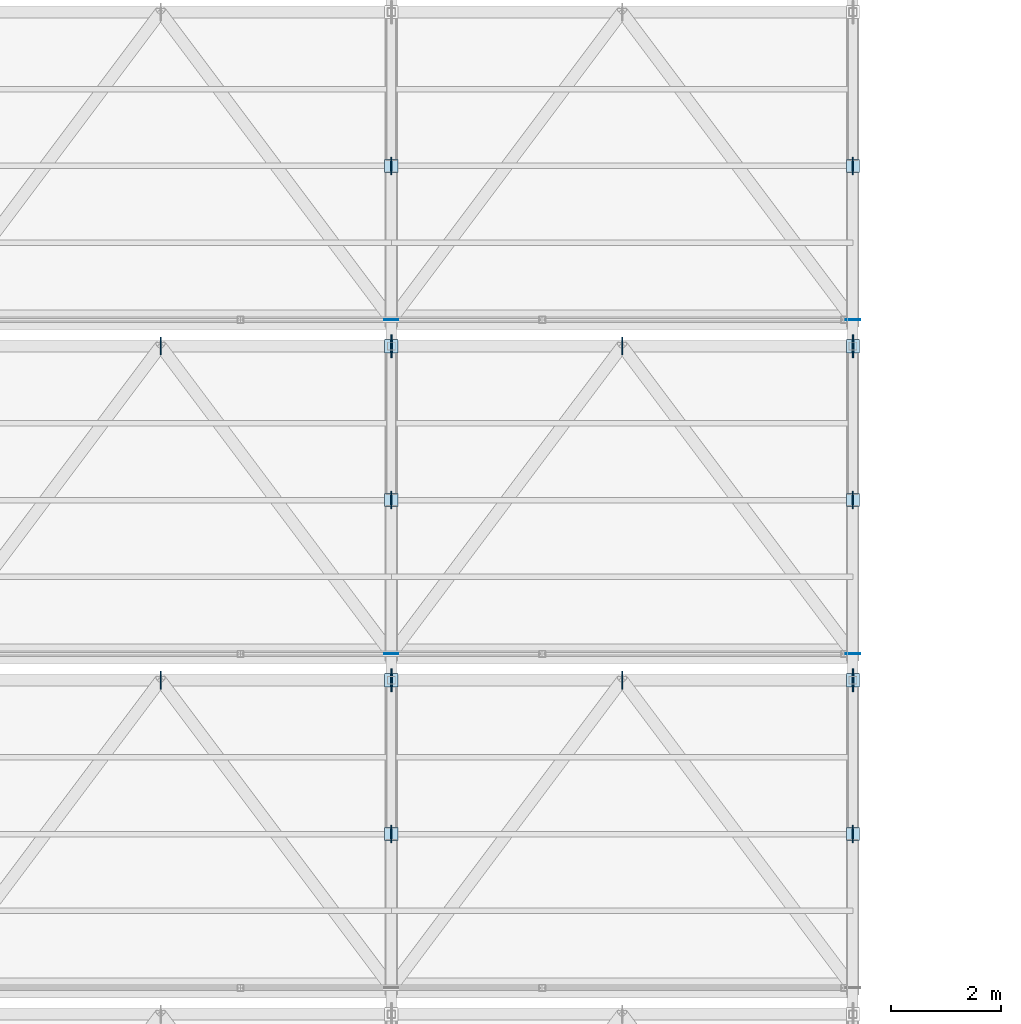
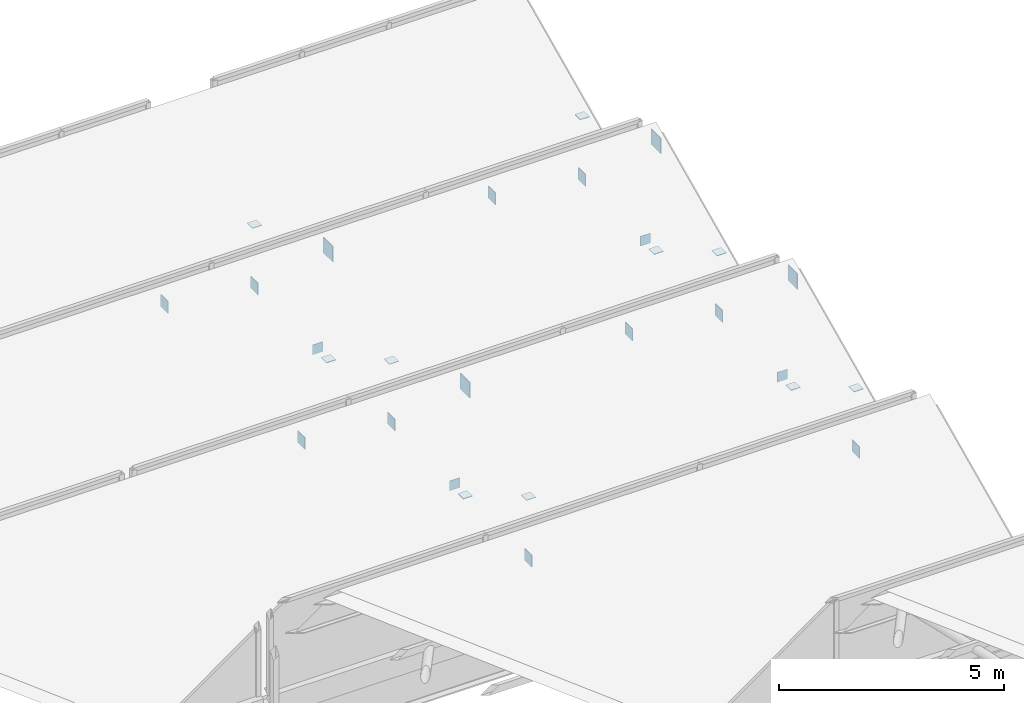
# One storey, part 188 of 217: 28 plates.
"""IFC4 building model written with IfcOpenShell, lengths in metres."""

from ifc_helpers import new_model, si_unit, direction, frame, origin, origin_2d, place, context, subcontext, project, spatial, rectangle, extrude, material, layer, layer_set, type_object, element, save


model = new_model("IFC4")

# Units and contexts
model_context = context("Model", 3, precision=1e-05, world=origin(), true_north=direction((0.0, 1.0)))
body_context = subcontext(model_context, "Body", "Model", "MODEL_VIEW")
ifc_project = project(units=[si_unit("LENGTHUNIT", "METRE"), si_unit("AREAUNIT", "SQUARE_METRE"), si_unit("VOLUMEUNIT", "CUBIC_METRE"), si_unit("PLANEANGLEUNIT", "RADIAN"), si_unit("MASSUNIT", "GRAM", prefix="KILO")], contexts=[model_context])

# Site, building, storey
site_placement = place(None, origin())
site = spatial("IfcSite", under=ifc_project, at=site_placement, CompositionType="ELEMENT")
building_placement = place(site_placement, origin())
building = spatial("IfcBuilding", under=site, at=building_placement, Name="Zuvorla Pavilion Media Centre", CompositionType="ELEMENT")
storey_placement = place(building_placement, frame((0.0, 0.0, 9.60009765625)))
storey = spatial("IfcBuildingStorey", under=building, at=storey_placement, Name="L02", CompositionType="ELEMENT", Elevation=9.60009765625)

# Plates
ifc_material = material(Name="Steel S355", Category="steel")
ifc_layer_1 = layer(ifc_material, 0.01611328125)
ifc_layer_set_1 = layer_set([ifc_layer_1], Name="Steel S355")
plate_type_1 = type_object("IfcPlateType", Name="PLT-CAP-16", PredefinedType="USERDEFINED", material=ifc_layer_set_1)
for number, where, z_axis, x_axis, name in (
    (1, (125.60009765625, 107.840087890625, -1.01025390625), (0.0, 0.0, 1.0), (1.0, 0.0, 0.0), "L02 cap plate CP16 70"),
    (2, (134.0, 107.840087890625, -1.01025390625), (0.0, 0.0, 1.0), (1.0, 0.0, 0.0), "L02 cap plate CP16 72"),
    (3, (125.60009765625, 113.919921875, -1.01025390625), (0.0, 0.0, 1.0), (1.0, 0.0, 0.0), "L02 cap plate CP16 88"),
    (4, (134.0, 113.919921875, -1.01025390625), (0.0, 0.0, 1.0), (1.0, 0.0, 0.0), "L02 cap plate CP16 90"),
):
    element("IfcPlate", number, at=place(storey_placement, frame(where, z_axis=z_axis, x_axis=x_axis)), inside=storey, type_object=plate_type_1, Name=name, ObjectType="CAP_PLATE", PredefinedType="USERDEFINED", context=body_context, shape_type="SweptSolid", body=[
        extrude(rectangle(XDim=0.260009765625, YDim=0.01611328125, at=origin_2d()), origin(), (0.0, 0.0, 1.0), 0.260009765625),
    ])
for number, where, z_axis, x_axis, name in (
    (5, (125.60009765625, 107.360107421875, -0.88818359375), (0.0, 0.0, 1.0), (1.0, 0.0, 0.0), "L02 cap plate CP16 308"),
    (6, (125.60009765625, 104.56005859375, 0.771728515625), (0.0, 0.0, 1.0), (1.0, 0.0, 0.0), "L02 cap plate CP16 310"),
    (7, (134.0, 107.360107421875, -0.88818359375), (0.0, 0.0, 1.0), (1.0, 0.0, 0.0), "L02 cap plate CP16 311"),
    (8, (134.0, 104.56005859375, 0.771728515625), (0.0, 0.0, 1.0), (1.0, 0.0, 0.0), "L02 cap plate CP16 313"),
    (9, (125.60009765625, 113.43994140625, -0.88818359375), (0.0, 0.0, 1.0), (1.0, 0.0, 0.0), "L02 cap plate CP16 343"),
    (10, (125.60009765625, 110.639892578125, 0.771728515625), (0.0, 0.0, 1.0), (1.0, 0.0, 0.0), "L02 cap plate CP16 345"),
    (11, (134.0, 113.43994140625, -0.88818359375), (0.0, 0.0, 1.0), (1.0, 0.0, 0.0), "L02 cap plate CP16 346"),
    (12, (134.0, 110.639892578125, 0.771728515625), (0.0, 0.0, 1.0), (1.0, 0.0, 0.0), "L02 cap plate CP16 348"),
    (13, (125.60009765625, 116.719970703125, 0.771728515625), (0.0, 0.0, 1.0), (1.0, 0.0, 0.0), "L02 cap plate CP16 380"),
    (14, (134.0, 116.719970703125, 0.771728515625), (0.0, 0.0, 1.0), (1.0, 0.0, 0.0), "L02 cap plate CP16 383"),
):
    element("IfcPlate", number, at=place(storey_placement, frame(where, z_axis=z_axis, x_axis=x_axis)), inside=storey, type_object=plate_type_1, Name=name, ObjectType="CAP_PLATE", PredefinedType="USERDEFINED", context=body_context, shape_type="SweptSolid", body=[
        extrude(rectangle(XDim=0.239990234375, YDim=0.239990234375, at=origin_2d()), origin(), (0.0, 0.0, 1.0), 0.01611328125),
    ])
ifc_layer_2 = layer(ifc_material, 0.02001953125)
ifc_layer_set_2 = layer_set([ifc_layer_2], Name="Steel S355")
plate_type_2 = type_object("IfcPlateType", Name="PLT-GUS-20", PredefinedType="USERDEFINED", material=ifc_layer_set_2)
for number, where, z_axis, x_axis, name in (
    (15, (125.60009765625, 104.56005859375, -1.0400390625), (0.0, 0.0, 1.0), (1.0, 0.0, 0.0), "L02 gusset plate GP20 309"),
    (16, (134.0, 104.56005859375, -1.0400390625), (0.0, 0.0, 1.0), (1.0, 0.0, 0.0), "L02 gusset plate GP20 312"),
    (17, (121.39990234375, 107.360107421875, 1.919921875), (0.0, 0.0, 1.0), (1.0, 0.0, 0.0), "L02 gusset plate GP20 320"),
    (18, (129.800048828125, 107.360107421875, 1.919921875), (0.0, 0.0, 1.0), (1.0, 0.0, 0.0), "L02 gusset plate GP20 321"),
    (19, (125.60009765625, 110.639892578125, -1.0400390625), (0.0, 0.0, 1.0), (1.0, 0.0, 0.0), "L02 gusset plate GP20 344"),
    (20, (134.0, 110.639892578125, -1.0400390625), (0.0, 0.0, 1.0), (1.0, 0.0, 0.0), "L02 gusset plate GP20 347"),
    (21, (121.39990234375, 113.43994140625, 1.919921875), (0.0, 0.0, 1.0), (1.0, 0.0, 0.0), "L02 gusset plate GP20 355"),
    (22, (129.800048828125, 113.43994140625, 1.919921875), (0.0, 0.0, 1.0), (1.0, 0.0, 0.0), "L02 gusset plate GP20 356"),
    (23, (125.60009765625, 116.719970703125, -1.0400390625), (0.0, 0.0, 1.0), (1.0, 0.0, 0.0), "L02 gusset plate GP20 379"),
    (24, (134.0, 116.719970703125, -1.0400390625), (0.0, 0.0, 1.0), (1.0, 0.0, 0.0), "L02 gusset plate GP20 382"),
):
    element("IfcPlate", number, at=place(storey_placement, frame(where, z_axis=z_axis, x_axis=x_axis)), inside=storey, type_object=plate_type_2, Name=name, ObjectType="GUSSET_PLATE", PredefinedType="USERDEFINED", context=body_context, shape_type="SweptSolid", body=[
        extrude(rectangle(XDim=0.02001953125, YDim=0.320068359375, at=origin_2d()), origin(), (0.0, 0.0, 1.0), 0.320068359375),
    ])
ifc_layer_3 = layer(ifc_material, 0.02490234375)
ifc_layer_set_3 = layer_set([ifc_layer_3], Name="Steel S355")
plate_type_3 = type_object("IfcPlateType", Name="PLT-GUS-25", PredefinedType="USERDEFINED", material=ifc_layer_set_3)
for number, where, z_axis, x_axis, name in (
    (25, (125.60009765625, 107.360107421875, 1.87353515625), (0.0, 0.0, 1.0), (1.0, 0.0, 0.0), "L02 gusset plate GP25 51"),
    (26, (134.0, 107.360107421875, 1.87353515625), (0.0, 0.0, 1.0), (1.0, 0.0, 0.0), "L02 gusset plate GP25 53"),
    (27, (125.60009765625, 113.43994140625, 1.87353515625), (0.0, 0.0, 1.0), (1.0, 0.0, 0.0), "L02 gusset plate GP25 69"),
    (28, (134.0, 113.43994140625, 1.87353515625), (0.0, 0.0, 1.0), (1.0, 0.0, 0.0), "L02 gusset plate GP25 71"),
):
    element("IfcPlate", number, at=place(storey_placement, frame(where, z_axis=z_axis, x_axis=x_axis)), inside=storey, type_object=plate_type_3, Name=name, ObjectType="GUSSET_PLATE", PredefinedType="USERDEFINED", context=body_context, shape_type="SweptSolid", body=[
        extrude(rectangle(XDim=0.02490234375, YDim=0.419921875, at=origin_2d()), origin(), (0.0, 0.0, 1.0), 0.419921875),
    ])

save(model, "model.ifc")
